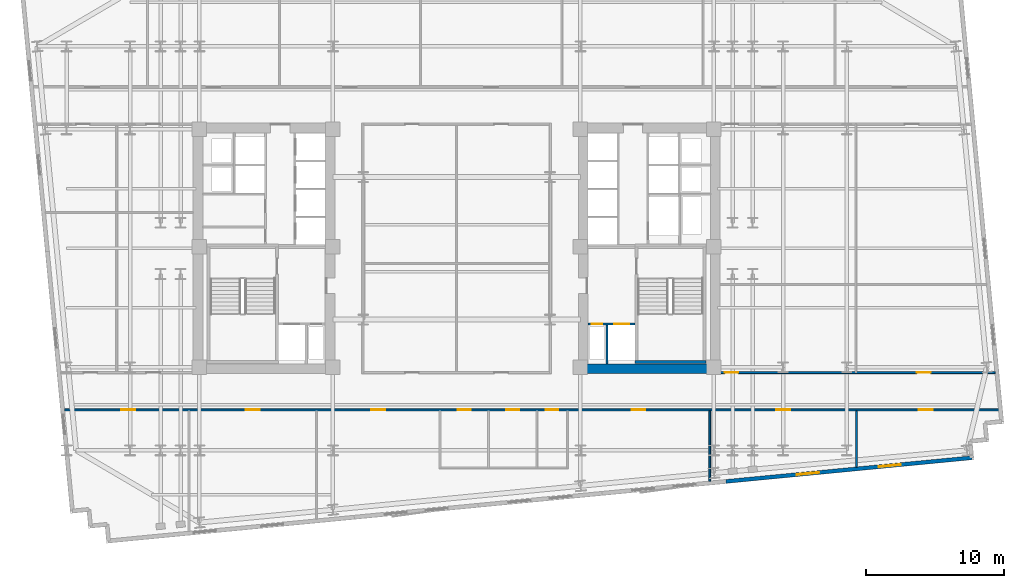
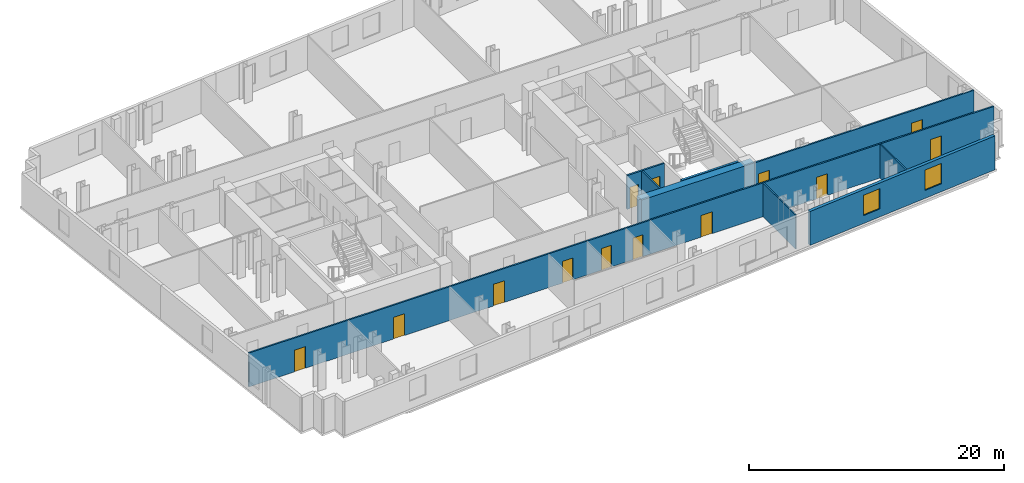
# One storey, part 6 of 11: 13 doors, 9 walls, 2 windows, 15 openings.
"""IFC4 building model written with IfcOpenShell, lengths in metres."""

import ifcopenshell
import ifcopenshell.guid

model = None  # the IFC model being written
_history = None  # IfcOwnerHistory: only IFC2X3 demands one
_inside = {}  # id of a spatial element -> (the spatial element, [elements in it])
_under = {}  # id of a project, library or spatial element -> (it, [spatial elements below it])
_declared = {}  # id of a project -> (the project, [libraries it declares])
_typed = {}  # id of a type object -> (the type object, [elements of that type])
_made_of = {}  # id of a material, layer set ... -> (it, [elements and type objects made of it])


def new_model(schema):
    """Start an empty IFC model of exactly this schema.

    Asked for "IFC4X3", IfcOpenShell would pick the latest addendum, in which some entities
    have other attributes; the version numbers below select the first issue.
    IFC2X3 requires an IfcOwnerHistory on every rooted entity: one is made here for all.
    """
    global model, _history
    if schema == "IFC4X3":
        model = ifcopenshell.file(schema_version=(4, 3, 0, 0))
    else:
        model = ifcopenshell.file(schema=schema)
    _inside.clear()
    _under.clear()
    _declared.clear()
    _typed.clear()
    _made_of.clear()
    _history = None
    if model.schema == "IFC2X3":
        org = make("IfcOrganization", Name="unknown")
        user = make(
            "IfcPersonAndOrganization",
            ThePerson=make("IfcPerson", FamilyName="unknown"),
            TheOrganization=org,
        )
        app = make(
            "IfcApplication",
            ApplicationDeveloper=org,
            Version="unknown",
            ApplicationFullName="unknown",
            ApplicationIdentifier="unknown",
        )
        _history = make(
            "IfcOwnerHistory",
            OwningUser=user,
            OwningApplication=app,
            ChangeAction="ADDED",
            CreationDate=0,
        )
    return model


def make(cls, **values):
    """One entity of the class cls with the attributes given. An attribute that is None is left unset."""
    return model.create_entity(
        cls, **{name: value for name, value in values.items() if value is not None}
    )


def rooted(cls, **values):
    """An entity with a GlobalId (a new one), such as an element, a storey or a relation."""
    return make(cls, GlobalId=ifcopenshell.guid.new(), OwnerHistory=_history, **values)


def si_unit(unit_type, name, prefix=None):
    """IfcSIUnit, for example si_unit("LENGTHUNIT", "METRE", prefix="MILLI")."""
    return make("IfcSIUnit", UnitType=unit_type, Prefix=prefix, Name=name)


def assignment(units):
    """IfcUnitAssignment: the units of a project."""
    return None if units is None else make("IfcUnitAssignment", Units=units)


def point(xyz):
    """IfcCartesianPoint."""
    return None if xyz is None else make("IfcCartesianPoint", Coordinates=xyz)


def direction(xyz):
    """IfcDirection."""
    return None if xyz is None else make("IfcDirection", DirectionRatios=xyz)


def frame(location, z_axis=None, x_axis=None):
    """IfcAxis2Placement3D, a coordinate frame: its origin and axes. An axis left out is left unset."""
    return make(
        "IfcAxis2Placement3D",
        Location=point(location),
        Axis=direction(z_axis),
        RefDirection=direction(x_axis),
    )


def frame_2d(location, x_axis=None):
    """IfcAxis2Placement2D, a coordinate frame in the plane: its origin and x axis."""
    return make(
        "IfcAxis2Placement2D", Location=point(location), RefDirection=direction(x_axis)
    )


def origin():
    """The frame at (0, 0, 0) with its axes left unset."""
    return frame((0.0, 0.0, 0.0))


def place(relative_to, where):
    """IfcLocalPlacement: puts the frame where relative to a parent placement (None: the world)."""
    return make(
        "IfcLocalPlacement", PlacementRelTo=relative_to, RelativePlacement=where
    )


def context(
    kind, dimensions, precision=None, world=None, true_north=None, identifier=None
):
    """IfcGeometricRepresentationContext, for example the 3D "Model" context."""
    return make(
        "IfcGeometricRepresentationContext",
        ContextIdentifier=identifier,
        ContextType=kind,
        CoordinateSpaceDimension=dimensions,
        Precision=precision,
        WorldCoordinateSystem=world,
        TrueNorth=true_north,
    )


def subcontext(parent, identifier, kind, view, scale=None):
    """IfcGeometricRepresentationSubContext, for example "Body" below "Model"."""
    return make(
        "IfcGeometricRepresentationSubContext",
        ContextIdentifier=identifier,
        ContextType=kind,
        ParentContext=parent,
        TargetScale=scale,
        TargetView=view,
    )


def project(units=None, contexts=None):
    """IfcProject with its units and contexts."""
    return rooted(
        "IfcProject",
        Name="project",
        RepresentationContexts=contexts,
        UnitsInContext=assignment(units),
    )


def spatial(cls, under=None, at=None, **own):
    """A site, building, storey or space (cls), placed at a placement, below another one or the project."""
    s = rooted(cls, ObjectPlacement=at, **own)
    if under is not None:
        _under.setdefault(under.id(), (under, []))[1].append(s)
    return s


def profile(cls, at=None, kind="AREA", **sizes):
    """A parametric profile (cls). Its sizes go by their IFC names, for example OverallWidth=200.0."""
    return make(cls, ProfileType=kind, Position=at, **sizes)


def rectangle(**sizes):
    """IfcRectangleProfileDef."""
    return profile("IfcRectangleProfileDef", **sizes)


def extrude(swept, where, along, depth):
    """IfcExtrudedAreaSolid: the profile swept, set in the frame where, extruded along a direction by depth."""
    return make(
        "IfcExtrudedAreaSolid",
        SweptArea=swept,
        Position=where,
        ExtrudedDirection=direction(along),
        Depth=depth,
    )


def shape(context_of_items, identifier, shape_type, items):
    """IfcShapeRepresentation: the items that make up one representation, for example the "Body"."""
    return make(
        "IfcShapeRepresentation",
        ContextOfItems=context_of_items,
        RepresentationIdentifier=identifier,
        RepresentationType=shape_type,
        Items=items,
    )


def material(Name=None, Category=None):
    """IfcMaterial."""
    return make("IfcMaterial", Name=Name, Category=Category)


def layer(
    of_material, thickness, ventilated=None, Name=None, Category=None, Priority=None
):
    """IfcMaterialLayer: one layer of a wall or slab, of a material (None: an air gap)."""
    return make(
        "IfcMaterialLayer",
        Material=of_material,
        LayerThickness=thickness,
        IsVentilated=ventilated,
        Name=Name,
        Category=Category,
        Priority=Priority,
    )


def layer_set(layers, Name=None):
    """IfcMaterialLayerSet."""
    return make("IfcMaterialLayerSet", MaterialLayers=layers, LayerSetName=Name)


def made_of(thing, what):
    """Note that an element or type object is made of a material, layer set ...; save() writes the relation."""
    if what is not None:
        _made_of.setdefault(what.id(), (what, []))[1].append(thing)
    return thing


def type_object(cls, material=None, **own):
    """A type object (cls), such as IfcWallType, which elements share."""
    return made_of(rooted(cls, **own), material)


def element(
    cls,
    number,
    at=None,
    inside=None,
    cuts=None,
    type_object=None,
    material=None,
    context=None,
    identifier="Body",
    shape_type=None,
    held_by="IfcProductDefinitionShape",
    body=None,
    shapes=None,
    **own,
):
    """One element of the class cls, such as IfcWall. Its Tag is "e" and its number.

    at: its placement. inside: the storey or other place that contains it. cuts: it is an
    opening in that element (IfcRelVoidsElement). A single representation is given by context,
    identifier, shape_type and body (its items); several are given by shapes. held_by: the class
    of the entity that holds the representations. save() writes the other relations.
    """
    e = rooted(cls, Tag="e%d" % number, ObjectPlacement=at, **own)
    if body is not None:
        shapes = [shape(context, identifier, shape_type, body)]
    if shapes is not None:
        e.Representation = make(held_by, Representations=shapes)
    if inside is not None:
        _inside.setdefault(inside.id(), (inside, []))[1].append(e)
    if cuts is not None:
        rooted(
            "IfcRelVoidsElement", RelatingBuildingElement=cuts, RelatedOpeningElement=e
        )
    if type_object is not None:
        _typed.setdefault(type_object.id(), (type_object, []))[1].append(e)
    return made_of(e, material)


def fill(opening, filler):
    """IfcRelFillsElement: the door or window that sits in an opening."""
    return rooted(
        "IfcRelFillsElement",
        RelatingOpeningElement=opening,
        RelatedBuildingElement=filler,
    )


def aggregate(whole, parts):
    """IfcRelAggregates: a whole, such as a stair, and the parts it consists of."""
    return rooted("IfcRelAggregates", RelatingObject=whole, RelatedObjects=parts)


def save(model, path):
    """Write the relations noted so far, then the file.

    IfcRelAggregates (storeys below a building ...), IfcRelContainedInSpatialStructure (elements
    in a storey), IfcRelDefinesByType, IfcRelAssociatesMaterial and IfcRelDeclares: one each for
    every whole, place, type object, material and project.
    """
    for whole, parts in _under.values():
        aggregate(whole, parts)
    for where, things in _inside.values():
        rooted(
            "IfcRelContainedInSpatialStructure",
            RelatedElements=things,
            RelatingStructure=where,
        )
    for kind, things in _typed.values():
        rooted("IfcRelDefinesByType", RelatedObjects=things, RelatingType=kind)
    for what, things in _made_of.values():
        rooted("IfcRelAssociatesMaterial", RelatedObjects=things, RelatingMaterial=what)
    for by, libraries in _declared.values():
        rooted("IfcRelDeclares", RelatingContext=by, RelatedDefinitions=libraries)
    model.write(path)


model = new_model("IFC4")

# Units and contexts
model_context = context("Model", 3, precision=1e-05, world=origin(), true_north=direction((0.0, 1.0)))
body_context = subcontext(model_context, "Body", "Model", "MODEL_VIEW")
ifc_project = project(units=[si_unit("LENGTHUNIT", "METRE"), si_unit("AREAUNIT", "SQUARE_METRE"), si_unit("VOLUMEUNIT", "CUBIC_METRE"), si_unit("PLANEANGLEUNIT", "RADIAN"), si_unit("MASSUNIT", "GRAM", prefix="KILO")], contexts=[model_context])

# Site, building, storey
site_placement = place(None, origin())
site = spatial("IfcSite", under=ifc_project, at=site_placement, CompositionType="ELEMENT")
building_placement = place(site_placement, origin())
building = spatial("IfcBuilding", under=site, at=building_placement, Name="Velakula Bourse", CompositionType="ELEMENT")
storey_placement = place(building_placement, frame((0.0, 0.0, 105.25)))
storey = spatial("IfcBuildingStorey", under=building, at=storey_placement, Name="L28", CompositionType="ELEMENT", Elevation=105.25)

# Walls
ifc_material_1 = material(Name="Concrete M50 (fck 50 MPa)", Category="concrete")
ifc_layer_1 = layer(ifc_material_1, 0.2099609375, Name="Concrete M50 (fck 50 MPa)", Category="concrete")
ifc_layer_set_1 = layer_set([ifc_layer_1], Name="Concrete M50 (fck 50 MPa)")
wall_type_1 = type_object("IfcWallType", Name="WL-CORE-210", PredefinedType="SHEAR", material=ifc_layer_set_1)
wall_1_placement = place(storey_placement, frame((12.889892578125, -8.205078125, 0.0), z_axis=(0.0, 0.0, 1.0), x_axis=(1.0, 0.0, 0.0)))
element("IfcWall", 1, at=wall_1_placement, inside=storey, type_object=wall_type_1, Name="L28 Core E Stairwell Shear Wall S", PredefinedType="SHEAR", context=body_context, shape_type="SweptSolid", body=[
    extrude(rectangle(XDim=5.14013671875, YDim=0.2099609375, at=frame_2d((2.570068359375, 0.0))), origin(), (0.0, 0.0, 1.0), 3.27001953125),
])
ifc_material_2 = material(Name="Concrete M70 (fck 70 MPa)", Category="concrete")
ifc_layer_2 = layer(ifc_material_2, 0.699951171875, Name="Concrete M70 (fck 70 MPa)", Category="concrete")
ifc_layer_set_2 = layer_set([ifc_layer_2], Name="Concrete M70 (fck 70 MPa)")
wall_type_2 = type_object("IfcWallType", Name="WL-CORE-700", PredefinedType="SHEAR", material=ifc_layer_set_2)
wall_2_placement = place(storey_placement, frame((8.800048828125, -8.699951171875, 0.0), z_axis=(0.0, 0.0, 1.0), x_axis=(1.0, 0.0, 0.0)))
element("IfcWall", 2, at=wall_2_placement, inside=storey, type_object=wall_type_2, Name="L28 Core E Shear Wall S", PredefinedType="SHEAR", context=body_context, shape_type="SweptSolid", body=[
    extrude(rectangle(XDim=10.25, YDim=0.699951171875, at=frame_2d((5.125, 0.0))), origin(), (0.0, 0.0, 1.0), 3.27001953125),
])

# Wall, openings, windows
ifc_material_3 = material(Name="Red kilned clay facing brick masonry", Category="masonry")
ifc_layer_3 = layer(ifc_material_3, 0.280029296875, Name="Red kilned clay facing brick masonry", Category="masonry")
ifc_layer_set_3 = layer_set([ifc_layer_3], Name="Red kilned clay facing brick masonry")
wall_type_3 = type_object("IfcWallType", Name="WL-EXT-BRK-280", PredefinedType="STANDARD", material=ifc_layer_set_3)
wall_3_placement = place(storey_placement, frame((37.2314453125, -15.138427734375, 0.0), z_axis=(0.0, 0.0, 1.0), x_axis=(-0.995395780835, -0.095850088663, 0.0)))
wall_3 = element("IfcWall", 3, at=wall_3_placement, inside=storey, type_object=wall_type_3, Name="L28 S Brick Spandrel Wall B5", PredefinedType="STANDARD", context=body_context, shape_type="SweptSolid", body=[
    extrude(rectangle(XDim=17.83984375, YDim=0.280029296875, at=frame_2d((8.919921875, 0.0))), origin(), (0.0, 0.0, 1.0), 3.25),
])
opening_1_placement = place(wall_3_placement, frame((5.146728515625, 0.0, 0.760009765625)))
opening_1 = element("IfcOpeningElement", 4, at=opening_1_placement, cuts=wall_3, Name="Opening W-02", PredefinedType="OPENING", context=body_context, shape_type="SweptSolid", body=[
    extrude(rectangle(XDim=1.60009765625, YDim=1.949951171875, at=frame_2d((0.800048828125, 0.97509765625))), frame((0.0, 0.14990234375, 0.0), z_axis=(0.0, -1.0, 0.0), x_axis=(1.0, 0.0, 0.0)), (0.0, 0.0, 1.0), 0.300048828125),
])
opening_2_placement = place(wall_3_placement, frame((11.09326171875, 0.0, 0.760009765625)))
opening_2 = element("IfcOpeningElement", 5, at=opening_2_placement, cuts=wall_3, Name="Opening W-02", PredefinedType="OPENING", context=body_context, shape_type="SweptSolid", body=[
    extrude(rectangle(XDim=1.60009765625, YDim=1.949951171875, at=frame_2d((0.800048828125, 0.97509765625))), frame((0.0, 0.14990234375, 0.0), z_axis=(0.0, -1.0, 0.0), x_axis=(1.0, 0.0, 0.0)), (0.0, 0.0, 1.0), 0.300048828125),
])
ifc_material_4 = material(Name="Double-glazed solar-control Low-E glass", Category="glass")
window_type = type_object("IfcWindowType", Name="WIN-TWR-1600x2100", PartitioningType="SINGLE_PANEL", PredefinedType="WINDOW", material=ifc_material_4)
window_1_placement = place(opening_1_placement, origin())
window_1 = element("IfcWindow", 6, at=window_1_placement, inside=storey, type_object=window_type, Name="L28 Deep-Set Recessed Window 1", OverallHeight=1.949951171875, OverallWidth=1.60009765625, PartitioningType="SINGLE_PANEL", PredefinedType="WINDOW", context=body_context, shape_type="SweptSolid", body=[
    extrude(rectangle(XDim=1.60009765625, YDim=1.949951171875, at=frame_2d((0.800048828125, 0.97509765625))), frame((0.0, 0.030029296875, 0.0), z_axis=(0.0, -1.0, 0.0), x_axis=(1.0, 0.0, 0.0)), (0.0, 0.0, 1.0), 0.06005859375),
])
fill(opening_1, window_1)
window_2_placement = place(opening_2_placement, origin())
window_2 = element("IfcWindow", 7, at=window_2_placement, inside=storey, type_object=window_type, Name="L28 Deep-Set Recessed Window 2", OverallHeight=1.949951171875, OverallWidth=1.60009765625, PartitioningType="SINGLE_PANEL", PredefinedType="WINDOW", context=body_context, shape_type="SweptSolid", body=[
    extrude(rectangle(XDim=1.60009765625, YDim=1.949951171875, at=frame_2d((0.800048828125, 0.97509765625))), frame((0.0, 0.030029296875, 0.0), z_axis=(0.0, -1.0, 0.0), x_axis=(1.0, 0.0, 0.0)), (0.0, 0.0, 1.0), 0.06005859375),
])
fill(opening_2, window_2)

# Walls
ifc_material_5 = material(Name="Fire-rated double-layer gypsum drywall partition", Category="gypsum")
ifc_layer_4 = layer(ifc_material_5, 0.1201171875, Name="Fire-rated double-layer gypsum drywall partition", Category="gypsum")
ifc_layer_set_4 = layer_set([ifc_layer_4], Name="Fire-rated double-layer gypsum drywall partition")
wall_type_4 = type_object("IfcWallType", Name="WL-PART-120", PredefinedType="STANDARD", material=ifc_layer_set_4)
wall_4_placement = place(storey_placement, frame((18.2939453125, -16.84130859375, 0.0), z_axis=(0.0, 0.0, 1.0), x_axis=(0.0, 1.0, 0.0)))
element("IfcWall", 8, at=wall_4_placement, inside=storey, type_object=wall_type_4, Name="L28 Interior Partition WL-INT-L28-SR-D7", PredefinedType="STANDARD", context=body_context, shape_type="SweptSolid", body=[
    extrude(rectangle(XDim=5.101318359375, YDim=0.1201171875, at=frame_2d((2.55078125, 0.0))), origin(), (0.0, 0.0, 1.0), 3.25),
])
wall_5_placement = place(storey_placement, frame((28.89990234375, -15.820068359375, 0.0), z_axis=(0.0, 0.0, 1.0), x_axis=(0.0, 1.0, 0.0)))
element("IfcWall", 9, at=wall_5_placement, inside=storey, type_object=wall_type_4, Name="L28 Interior Partition WL-INT-L28-SR-D8", PredefinedType="STANDARD", context=body_context, shape_type="SweptSolid", body=[
    extrude(rectangle(XDim=4.080078125, YDim=0.1201171875, at=frame_2d((2.0400390625, 0.0))), origin(), (0.0, 0.0, 1.0), 3.25),
])

# Wall, openings, doors
ifc_layer_5 = layer(ifc_material_5, 0.139892578125, Name="Fire-rated double-layer gypsum drywall partition", Category="gypsum")
ifc_layer_set_5 = layer_set([ifc_layer_5], Name="Fire-rated double-layer gypsum drywall partition")
wall_type_5 = type_object("IfcWallType", Name="WL-PART-140", PredefinedType="STANDARD", material=ifc_layer_set_5)
wall_6_placement = place(storey_placement, frame((-28.36279296875, -11.669921875, 0.0), z_axis=(0.0, 0.0, 1.0), x_axis=(1.0, 0.0, 0.0)))
wall_6 = element("IfcWall", 10, at=wall_6_placement, inside=storey, type_object=wall_type_5, Name="L28 Interior Partition WL-INT-L28-S-CORR", PredefinedType="STANDARD", context=body_context, shape_type="SweptSolid", body=[
    extrude(rectangle(XDim=67.55078125, YDim=0.139892578125, at=frame_2d((33.775390625, 0.0))), origin(), (0.0, 0.0, 1.0), 3.25),
])
opening_3_placement = place(wall_6_placement, frame((28.452880859375, 0.0, 0.0)))
opening_3 = element("IfcOpeningElement", 11, at=opening_3_placement, cuts=wall_6, Name="Opening D-WT1", PredefinedType="OPENING", context=body_context, shape_type="SweptSolid", body=[
    extrude(rectangle(XDim=0.919921875, YDim=2.080078125, at=frame_2d((0.4599609375, 1.0400390625))), frame((0.0, 0.079833984375, 0.0), z_axis=(0.0, -1.0, 0.0), x_axis=(1.0, 0.0, 0.0)), (0.0, 0.0, 1.0), 0.159912109375),
])
opening_4_placement = place(wall_6_placement, frame((31.952880859375, 0.0, 0.0)))
opening_4 = element("IfcOpeningElement", 12, at=opening_4_placement, cuts=wall_6, Name="Opening D-WT1", PredefinedType="OPENING", context=body_context, shape_type="SweptSolid", body=[
    extrude(rectangle(XDim=0.919921875, YDim=2.080078125, at=frame_2d((0.4599609375, 1.0400390625))), frame((0.0, 0.079833984375, 0.0), z_axis=(0.0, -1.0, 0.0), x_axis=(1.0, 0.0, 0.0)), (0.0, 0.0, 1.0), 0.159912109375),
])
opening_5_placement = place(wall_6_placement, frame((34.802978515625, 0.0, 0.0)))
opening_5 = element("IfcOpeningElement", 13, at=opening_5_placement, cuts=wall_6, Name="Opening D-WC1", PredefinedType="OPENING", context=body_context, shape_type="SweptSolid", body=[
    extrude(rectangle(XDim=0.919921875, YDim=2.080078125, at=frame_2d((0.4599609375, 1.0400390625))), frame((0.0, 0.079833984375, 0.0), z_axis=(0.0, -1.0, 0.0), x_axis=(1.0, 0.0, 0.0)), (0.0, 0.0, 1.0), 0.159912109375),
])
opening_6_placement = place(wall_6_placement, frame((4.13037109375, 0.0, 0.0)))
opening_6 = element("IfcOpeningElement", 14, at=opening_6_placement, cuts=wall_6, Name="Opening D-OF1", PredefinedType="OPENING", context=body_context, shape_type="SweptSolid", body=[
    extrude(rectangle(XDim=1.0, YDim=2.080078125, at=frame_2d((0.5, 1.0400390625))), frame((0.0, 0.079833984375, 0.0), z_axis=(0.0, -1.0, 0.0), x_axis=(1.0, 0.0, 0.0)), (0.0, 0.0, 1.0), 0.159912109375),
])
opening_7_placement = place(wall_6_placement, frame((13.114990234375, 0.0, 0.0)))
opening_7 = element("IfcOpeningElement", 15, at=opening_7_placement, cuts=wall_6, Name="Opening D-OF1", PredefinedType="OPENING", context=body_context, shape_type="SweptSolid", body=[
    extrude(rectangle(XDim=1.0, YDim=2.080078125, at=frame_2d((0.5, 1.0400390625))), frame((0.0, 0.079833984375, 0.0), z_axis=(0.0, -1.0, 0.0), x_axis=(1.0, 0.0, 0.0)), (0.0, 0.0, 1.0), 0.159912109375),
])
opening_8_placement = place(wall_6_placement, frame((22.19189453125, 0.0, 0.0)))
opening_8 = element("IfcOpeningElement", 16, at=opening_8_placement, cuts=wall_6, Name="Opening D-OF1", PredefinedType="OPENING", context=body_context, shape_type="SweptSolid", body=[
    extrude(rectangle(XDim=1.0, YDim=2.080078125, at=frame_2d((0.5, 1.0400390625))), frame((0.0, 0.079833984375, 0.0), z_axis=(0.0, -1.0, 0.0), x_axis=(1.0, 0.0, 0.0)), (0.0, 0.0, 1.0), 0.159912109375),
])
opening_9_placement = place(wall_6_placement, frame((41.010009765625, 0.0, 0.0)))
opening_9 = element("IfcOpeningElement", 17, at=opening_9_placement, cuts=wall_6, Name="Opening D-OF1", PredefinedType="OPENING", context=body_context, shape_type="SweptSolid", body=[
    extrude(rectangle(XDim=1.0, YDim=2.080078125, at=frame_2d((0.5, 1.0400390625))), frame((0.0, 0.079833984375, 0.0), z_axis=(0.0, -1.0, 0.0), x_axis=(1.0, 0.0, 0.0)), (0.0, 0.0, 1.0), 0.159912109375),
])
opening_10_placement = place(wall_6_placement, frame((51.4599609375, 0.0, 0.0)))
opening_10 = element("IfcOpeningElement", 18, at=opening_10_placement, cuts=wall_6, Name="Opening D-OF1", PredefinedType="OPENING", context=body_context, shape_type="SweptSolid", body=[
    extrude(rectangle(XDim=1.0, YDim=2.080078125, at=frame_2d((0.5, 1.0400390625))), frame((0.0, 0.079833984375, 0.0), z_axis=(0.0, -1.0, 0.0), x_axis=(1.0, 0.0, 0.0)), (0.0, 0.0, 1.0), 0.159912109375),
])
opening_11_placement = place(wall_6_placement, frame((61.781005859375, 0.0, 0.0)))
opening_11 = element("IfcOpeningElement", 19, at=opening_11_placement, cuts=wall_6, Name="Opening D-OF1", PredefinedType="OPENING", context=body_context, shape_type="SweptSolid", body=[
    extrude(rectangle(XDim=1.0, YDim=2.080078125, at=frame_2d((0.5, 1.0400390625))), frame((0.0, 0.079833984375, 0.0), z_axis=(0.0, -1.0, 0.0), x_axis=(1.0, 0.0, 0.0)), (0.0, 0.0, 1.0), 0.159912109375),
])
ifc_material_6 = material(Name="Fire-rated hardwood flush architectural door", Category="wood")
door_type_1 = type_object("IfcDoorType", Name="DR-OFF-1000", OperationType="NOTDEFINED", PredefinedType="DOOR", material=ifc_material_6)
door_1_placement = place(opening_6_placement, origin())
door_1 = element("IfcDoor", 20, at=door_1_placement, inside=storey, type_object=door_type_1, Name="L28 Economic Reference Library Door", OperationType="SINGLE_SWING_LEFT", OverallHeight=2.080078125, OverallWidth=1.0, PredefinedType="DOOR", context=body_context, shape_type="SweptSolid", body=[
    extrude(rectangle(XDim=1.0, YDim=2.080078125, at=frame_2d((0.5, 1.0400390625))), frame((0.0, 0.02490234375, 0.0), z_axis=(0.0, -1.0, 0.0), x_axis=(1.0, 0.0, 0.0)), (0.0, 0.0, 1.0), 0.050048828125),
])
fill(opening_6, door_1)
door_2_placement = place(opening_7_placement, origin())
door_2 = element("IfcDoor", 21, at=door_2_placement, inside=storey, type_object=door_type_1, Name="L28 Margin Control Office Door", OperationType="SINGLE_SWING_RIGHT", OverallHeight=2.080078125, OverallWidth=1.0, PredefinedType="DOOR", context=body_context, shape_type="SweptSolid", body=[
    extrude(rectangle(XDim=1.0, YDim=2.080078125, at=frame_2d((0.5, 1.0400390625))), frame((0.0, 0.02490234375, 0.0), z_axis=(0.0, -1.0, 0.0), x_axis=(1.0, 0.0, 0.0)), (0.0, 0.0, 1.0), 0.050048828125),
])
fill(opening_7, door_2)
door_3_placement = place(opening_8_placement, origin())
door_3 = element("IfcDoor", 22, at=door_3_placement, inside=storey, type_object=door_type_1, Name="L28 Risk Review Boardroom Door", OperationType="SINGLE_SWING_LEFT", OverallHeight=2.080078125, OverallWidth=1.0, PredefinedType="DOOR", context=body_context, shape_type="SweptSolid", body=[
    extrude(rectangle(XDim=1.0, YDim=2.080078125, at=frame_2d((0.5, 1.0400390625))), frame((0.0, 0.02490234375, 0.0), z_axis=(0.0, -1.0, 0.0), x_axis=(1.0, 0.0, 0.0)), (0.0, 0.0, 1.0), 0.050048828125),
])
fill(opening_8, door_3)
door_4_placement = place(opening_9_placement, origin())
door_4 = element("IfcDoor", 23, at=door_4_placement, inside=storey, type_object=door_type_1, Name="L28 Catering Servery Pantry Door", OperationType="SINGLE_SWING_RIGHT", OverallHeight=2.080078125, OverallWidth=1.0, PredefinedType="DOOR", context=body_context, shape_type="SweptSolid", body=[
    extrude(rectangle(XDim=1.0, YDim=2.080078125, at=frame_2d((0.5, 1.0400390625))), frame((0.0, 0.02490234375, 0.0), z_axis=(0.0, -1.0, 0.0), x_axis=(1.0, 0.0, 0.0)), (0.0, 0.0, 1.0), 0.050048828125),
])
fill(opening_9, door_4)
door_5_placement = place(opening_10_placement, origin())
door_5 = element("IfcDoor", 24, at=door_5_placement, inside=storey, type_object=door_type_1, Name="L28 Sovereign Wealth Desk Workspace Door", OperationType="SINGLE_SWING_LEFT", OverallHeight=2.080078125, OverallWidth=1.0, PredefinedType="DOOR", context=body_context, shape_type="SweptSolid", body=[
    extrude(rectangle(XDim=1.0, YDim=2.080078125, at=frame_2d((0.5, 1.0400390625))), frame((0.0, 0.02490234375, 0.0), z_axis=(0.0, -1.0, 0.0), x_axis=(1.0, 0.0, 0.0)), (0.0, 0.0, 1.0), 0.050048828125),
])
fill(opening_10, door_5)
door_6_placement = place(opening_11_placement, origin())
door_6 = element("IfcDoor", 25, at=door_6_placement, inside=storey, type_object=door_type_1, Name="L28 Margin Control Office Door", OperationType="SINGLE_SWING_RIGHT", OverallHeight=2.080078125, OverallWidth=1.0, PredefinedType="DOOR", context=body_context, shape_type="SweptSolid", body=[
    extrude(rectangle(XDim=1.0, YDim=2.080078125, at=frame_2d((0.5, 1.0400390625))), frame((0.0, 0.02490234375, 0.0), z_axis=(0.0, -1.0, 0.0), x_axis=(1.0, 0.0, 0.0)), (0.0, 0.0, 1.0), 0.050048828125),
])
fill(opening_11, door_6)
door_type_2 = type_object("IfcDoorType", Name="DR-WC-950", OperationType="NOTDEFINED", PredefinedType="DOOR", material=ifc_material_6)
door_7_placement = place(opening_3_placement, origin())
door_7 = element("IfcDoor", 26, at=door_7_placement, inside=storey, type_object=door_type_2, Name="L28 Male Staff Toilet Door", OperationType="SINGLE_SWING_RIGHT", OverallHeight=2.080078125, OverallWidth=0.919921875, PredefinedType="DOOR", context=body_context, shape_type="SweptSolid", body=[
    extrude(rectangle(XDim=0.919921875, YDim=2.080078125, at=frame_2d((0.4599609375, 1.0400390625))), frame((0.0, 0.02490234375, 0.0), z_axis=(0.0, -1.0, 0.0), x_axis=(1.0, 0.0, 0.0)), (0.0, 0.0, 1.0), 0.050048828125),
])
fill(opening_3, door_7)
door_8_placement = place(opening_4_placement, origin())
door_8 = element("IfcDoor", 27, at=door_8_placement, inside=storey, type_object=door_type_2, Name="L28 Female Staff Toilet Door", OperationType="SINGLE_SWING_LEFT", OverallHeight=2.080078125, OverallWidth=0.919921875, PredefinedType="DOOR", context=body_context, shape_type="SweptSolid", body=[
    extrude(rectangle(XDim=0.919921875, YDim=2.080078125, at=frame_2d((0.4599609375, 1.0400390625))), frame((0.0, 0.02490234375, 0.0), z_axis=(0.0, -1.0, 0.0), x_axis=(1.0, 0.0, 0.0)), (0.0, 0.0, 1.0), 0.050048828125),
])
fill(opening_4, door_8)
door_9_placement = place(opening_5_placement, origin())
door_9 = element("IfcDoor", 28, at=door_9_placement, inside=storey, type_object=door_type_2, Name="L28 Accessible WC Door", OperationType="SINGLE_SWING_RIGHT", OverallHeight=2.080078125, OverallWidth=0.919921875, PredefinedType="DOOR", context=body_context, shape_type="SweptSolid", body=[
    extrude(rectangle(XDim=0.919921875, YDim=2.080078125, at=frame_2d((0.4599609375, 1.0400390625))), frame((0.0, 0.02490234375, 0.0), z_axis=(0.0, -1.0, 0.0), x_axis=(1.0, 0.0, 0.0)), (0.0, 0.0, 1.0), 0.050048828125),
])
fill(opening_5, door_9)

wall_7_placement = place(storey_placement, frame((19.050048828125, -8.97998046875, 0.0), z_axis=(0.0, 0.0, 1.0), x_axis=(1.0, 0.0, 0.0)))
wall_7 = element("IfcWall", 29, at=wall_7_placement, inside=storey, type_object=wall_type_5, Name="L28 Interior Partition WL-INT-L28-E-SC", PredefinedType="STANDARD", context=body_context, shape_type="SweptSolid", body=[
    extrude(rectangle(XDim=19.87890625, YDim=0.139892578125, at=frame_2d((9.939453125, 0.0))), origin(), (0.0, 0.0, 1.0), 3.25),
])
opening_12_placement = place(wall_7_placement, frame((0.320068359375, 0.0, 0.0)))
opening_12 = element("IfcOpeningElement", 30, at=opening_12_placement, cuts=wall_7, Name="Opening D-OF1", PredefinedType="OPENING", context=body_context, shape_type="SweptSolid", body=[
    extrude(rectangle(XDim=1.0, YDim=2.080078125, at=frame_2d((0.5, 1.0400390625))), frame((0.0, 0.079833984375, 0.0), z_axis=(0.0, -1.0, 0.0), x_axis=(1.0, 0.0, 0.0)), (0.0, 0.0, 1.0), 0.159912109375),
])
opening_13_placement = place(wall_7_placement, frame((14.214111328125, 0.0, 0.0)))
opening_13 = element("IfcOpeningElement", 31, at=opening_13_placement, cuts=wall_7, Name="Opening D-OF1", PredefinedType="OPENING", context=body_context, shape_type="SweptSolid", body=[
    extrude(rectangle(XDim=1.0, YDim=2.080078125, at=frame_2d((0.5, 1.0400390625))), frame((0.0, 0.079833984375, 0.0), z_axis=(0.0, -1.0, 0.0), x_axis=(1.0, 0.0, 0.0)), (0.0, 0.0, 1.0), 0.159912109375),
])
door_10_placement = place(opening_12_placement, origin())
door_10 = element("IfcDoor", 32, at=door_10_placement, inside=storey, type_object=door_type_1, Name="L28 Margin Control Office Door", OperationType="SINGLE_SWING_LEFT", OverallHeight=2.080078125, OverallWidth=1.0, PredefinedType="DOOR", context=body_context, shape_type="SweptSolid", body=[
    extrude(rectangle(XDim=1.0, YDim=2.080078125, at=frame_2d((0.5, 1.0400390625))), frame((0.0, 0.02490234375, 0.0), z_axis=(0.0, -1.0, 0.0), x_axis=(1.0, 0.0, 0.0)), (0.0, 0.0, 1.0), 0.050048828125),
])
fill(opening_12, door_10)
door_11_placement = place(opening_13_placement, origin())
door_11 = element("IfcDoor", 33, at=door_11_placement, inside=storey, type_object=door_type_1, Name="L28 Listing Committee Chamber Door", OperationType="SINGLE_SWING_RIGHT", OverallHeight=2.080078125, OverallWidth=1.0, PredefinedType="DOOR", context=body_context, shape_type="SweptSolid", body=[
    extrude(rectangle(XDim=1.0, YDim=2.080078125, at=frame_2d((0.5, 1.0400390625))), frame((0.0, 0.02490234375, 0.0), z_axis=(0.0, -1.0, 0.0), x_axis=(1.0, 0.0, 0.0)), (0.0, 0.0, 1.0), 0.050048828125),
])
fill(opening_13, door_11)

ifc_material_7 = material(Name="Autoclaved aerated concrete blockwork masonry", Category="masonry")
ifc_layer_6 = layer(ifc_material_7, 0.14990234375, Name="Autoclaved aerated concrete blockwork masonry", Category="masonry")
ifc_layer_set_6 = layer_set([ifc_layer_6], Name="Autoclaved aerated concrete blockwork masonry")
wall_type_6 = type_object("IfcWallType", Name="WL-SHAFT-150", PredefinedType="STANDARD", material=ifc_layer_set_6)
wall_8_placement = place(storey_placement, frame((9.5, -5.47509765625, 0.0), z_axis=(0.0, 0.0, 1.0), x_axis=(1.0, 0.0, 0.0)))
wall_8 = element("IfcWall", 34, at=wall_8_placement, inside=storey, type_object=wall_type_6, Name="L28 Interior Partition WL-CRE-L28-FFL-N", PredefinedType="STANDARD", context=body_context, shape_type="SweptSolid", body=[
    extrude(rectangle(XDim=3.39501953125, YDim=0.14990234375, at=frame_2d((1.697509765625, 0.0))), origin(), (0.0, 0.0, 1.0), 3.25),
])
opening_14_placement = place(wall_8_placement, frame((1.875, 0.0, 0.0)))
opening_14 = element("IfcOpeningElement", 35, at=opening_14_placement, cuts=wall_8, Name="Opening LD-FFL-2", PredefinedType="OPENING", context=body_context, shape_type="SweptSolid", body=[
    extrude(rectangle(XDim=1.10009765625, YDim=2.14990234375, at=frame_2d((0.550048828125, 1.074951171875))), frame((0.0, 0.0849609375, 0.0), z_axis=(0.0, -1.0, 0.0), x_axis=(1.0, 0.0, 0.0)), (0.0, 0.0, 1.0), 0.169921875),
])
opening_15_placement = place(wall_8_placement, frame((0.27490234375, 0.0, 0.0)))
opening_15 = element("IfcOpeningElement", 36, at=opening_15_placement, cuts=wall_8, Name="Opening D-RS1", PredefinedType="OPENING", context=body_context, shape_type="SweptSolid", body=[
    extrude(rectangle(XDim=0.75, YDim=2.050048828125, at=frame_2d((0.375, 1.02490234375))), frame((0.0, 0.0849609375, 0.0), z_axis=(0.0, -1.0, 0.0), x_axis=(1.0, 0.0, 0.0)), (0.0, 0.0, 1.0), 0.169921875),
])
ifc_material_8 = material(Name="Galvanised painted hollow steel fire door", Category="steel")
door_type_3 = type_object("IfcDoorType", Name="DR-RISER-800", OperationType="NOTDEFINED", PredefinedType="DOOR", material=ifc_material_8)
door_12_placement = place(opening_15_placement, origin())
door_12 = element("IfcDoor", 37, at=door_12_placement, inside=storey, type_object=door_type_3, Name="L28 Fire Riser Access Door", OperationType="SINGLE_SWING_LEFT", OverallHeight=2.050048828125, OverallWidth=0.75, PredefinedType="DOOR", context=body_context, shape_type="SweptSolid", body=[
    extrude(rectangle(XDim=0.75, YDim=2.050048828125, at=frame_2d((0.375, 1.02490234375))), frame((0.0, 0.02490234375, 0.0), z_axis=(0.0, -1.0, 0.0), x_axis=(1.0, 0.0, 0.0)), (0.0, 0.0, 1.0), 0.050048828125),
])
fill(opening_15, door_12)
ifc_material_9 = material(Name="Brushed grade 316 stainless steel", Category="steel")
door_type_4 = type_object("IfcDoorType", Name="DR-SLIDE-FFL-1100", OperationType="DOUBLE_DOOR_SLIDING", PredefinedType="DOOR", material=ifc_material_9)
door_13_placement = place(opening_14_placement, origin())
door_13 = element("IfcDoor", 38, at=door_13_placement, inside=storey, type_object=door_type_4, Name="L28 Firefighting Lift FFL-2 Sliding Landing Door", OperationType="DOUBLE_DOOR_SLIDING", OverallHeight=2.14990234375, OverallWidth=1.10009765625, PredefinedType="DOOR", context=body_context, shape_type="SweptSolid", body=[
    extrude(rectangle(XDim=1.10009765625, YDim=2.14990234375, at=frame_2d((0.550048828125, 1.074951171875))), frame((0.0, 0.02490234375, 0.0), z_axis=(0.0, -1.0, 0.0), x_axis=(1.0, 0.0, 0.0)), (0.0, 0.0, 1.0), 0.050048828125),
])
fill(opening_14, door_13)

# Wall
wall_9_placement = place(storey_placement, frame((10.875, -8.35009765625, 0.0), z_axis=(0.0, 0.0, 1.0), x_axis=(0.0, 1.0, 0.0)))
element("IfcWall", 39, at=wall_9_placement, inside=storey, type_object=wall_type_6, Name="L28 Interior Partition WL-CRE-L28-FR-DIV", PredefinedType="STANDARD", context=body_context, shape_type="SweptSolid", body=[
    extrude(rectangle(XDim=2.800048828125, YDim=0.14990234375, at=frame_2d((1.39990234375, 0.0))), origin(), (0.0, 0.0, 1.0), 3.25),
])

save(model, "model.ifc")
